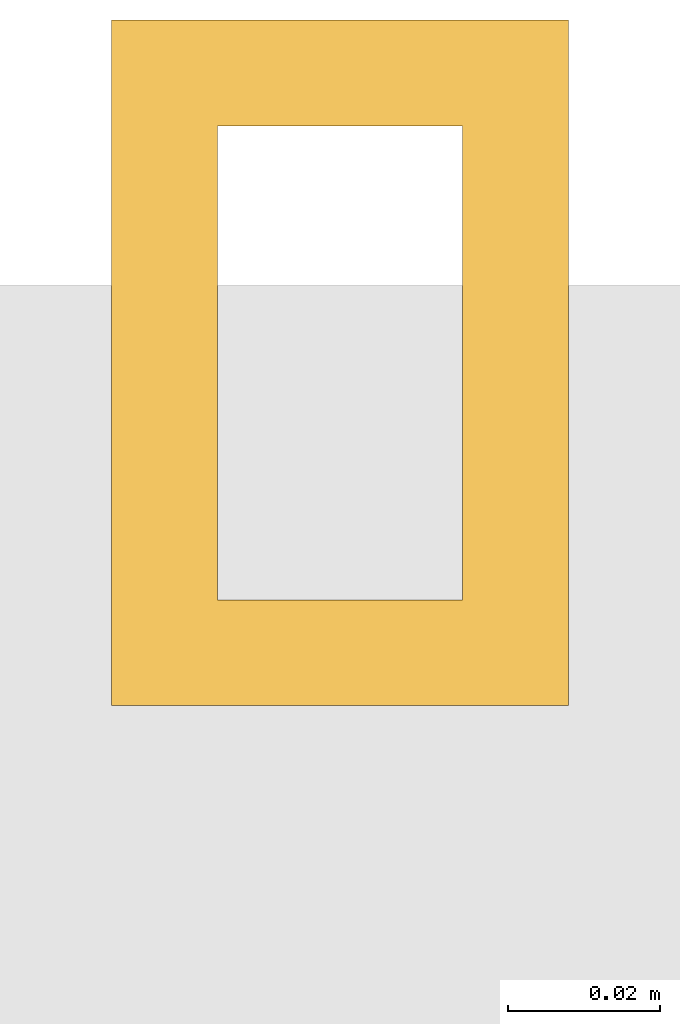
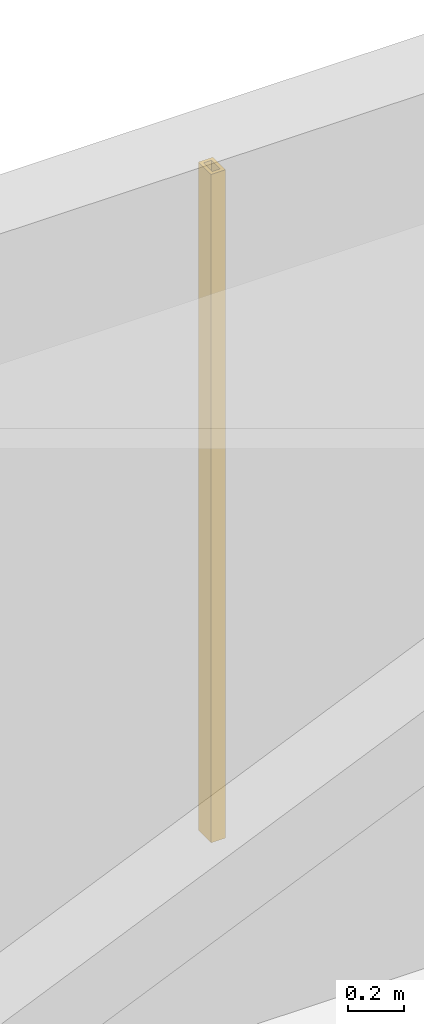
# One storey, part 36 of 37: 1 shading device.
"""IFC4 building model written with IfcOpenShell, lengths in metres."""

from ifc_helpers import new_model, si_unit, direction, frame, origin, origin_2d, place, context, subcontext, project, spatial, hollow_rectangle, extrude, material, material_profile, profile_set, type_object, element, save


model = new_model("IFC4")

# Units and contexts
model_context = context("Model", 3, precision=1e-05, world=origin(), true_north=direction((0.0, 1.0)))
body_context = subcontext(model_context, "Body", "Model", "MODEL_VIEW")
ifc_project = project(units=[si_unit("LENGTHUNIT", "METRE"), si_unit("AREAUNIT", "SQUARE_METRE"), si_unit("VOLUMEUNIT", "CUBIC_METRE"), si_unit("PLANEANGLEUNIT", "RADIAN"), si_unit("MASSUNIT", "GRAM", prefix="KILO")], contexts=[model_context])

# Site, building, storey
site_placement = place(None, origin())
site = spatial("IfcSite", under=ifc_project, at=site_placement, CompositionType="ELEMENT")
building_placement = place(site_placement, origin())
building = spatial("IfcBuilding", under=site, at=building_placement, Name="Punatoya Terracotta Tower", CompositionType="ELEMENT")
storey_placement = place(building_placement, frame((0.0, 0.0, 44.39990234375)))
storey = spatial("IfcBuildingStorey", under=building, at=storey_placement, Name="L09", CompositionType="ELEMENT", Elevation=44.39990234375)

# Shading device
ifc_material = material(Name="Architectural Fired Terracotta", Category="masonry")
ifc_material_profile = material_profile(ifc_material, hollow_rectangle(XDim=0.06005859375, YDim=0.090087890625, WallThickness=0.013916015625, at=origin_2d()))
ifc_profile_set = profile_set([ifc_material_profile], Name="Architectural Fired Terracotta")
shading_device_type = type_object("IfcShadingDeviceType", Name="SHD-JALI-90", PredefinedType="JALOUSIE", material=ifc_profile_set)
shading_device_placement = place(storey_placement, frame((0.0, 18.64990234375, 0.60009765625), z_axis=(0.0, 0.0, 1.0), x_axis=(1.0, 0.0, 0.0)))
element("IfcShadingDevice", 1, at=shading_device_placement, inside=storey, type_object=shading_device_type, Name="L09 Braced Bay Terracotta Jali Fin N1", PredefinedType="JALOUSIE", context=body_context, shape_type="SweptSolid", body=[
    extrude(hollow_rectangle(XDim=0.06005859375, YDim=0.090087890625, WallThickness=0.013916015625, at=origin_2d()), origin(), (0.0, 0.0, 1.0), 2.909912109375),
])

save(model, "model.ifc")
